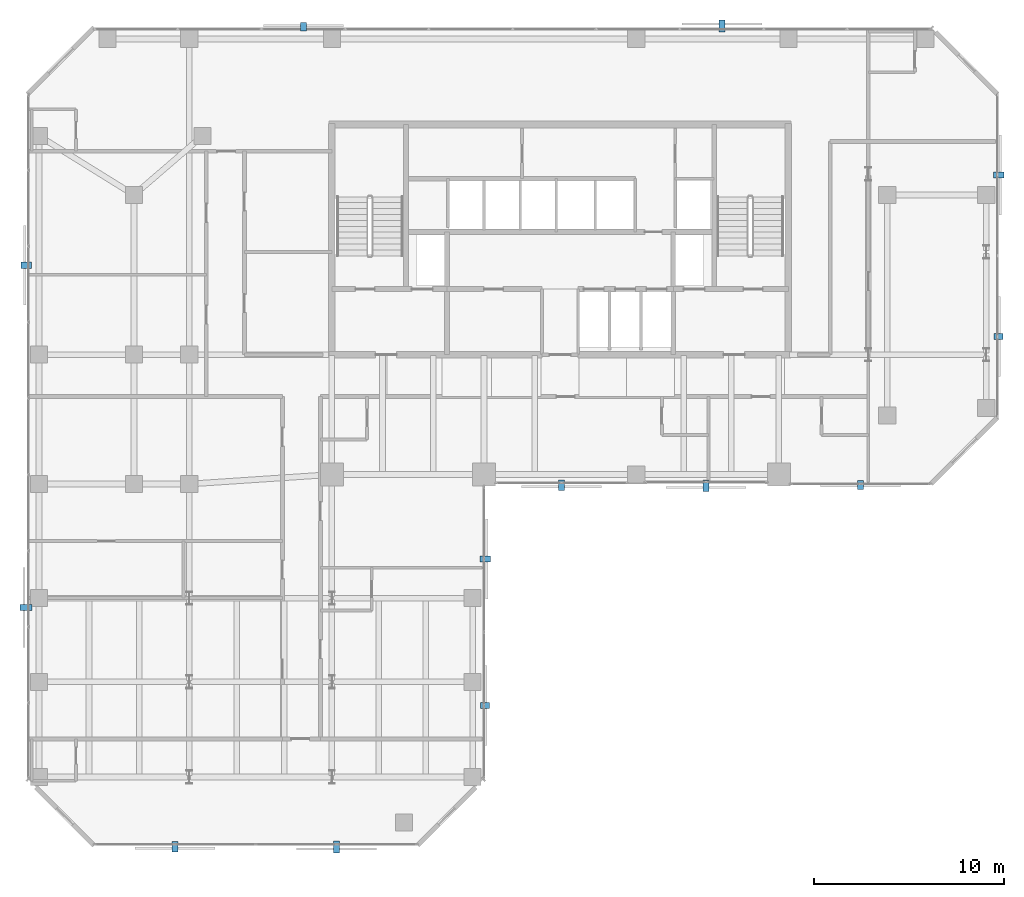
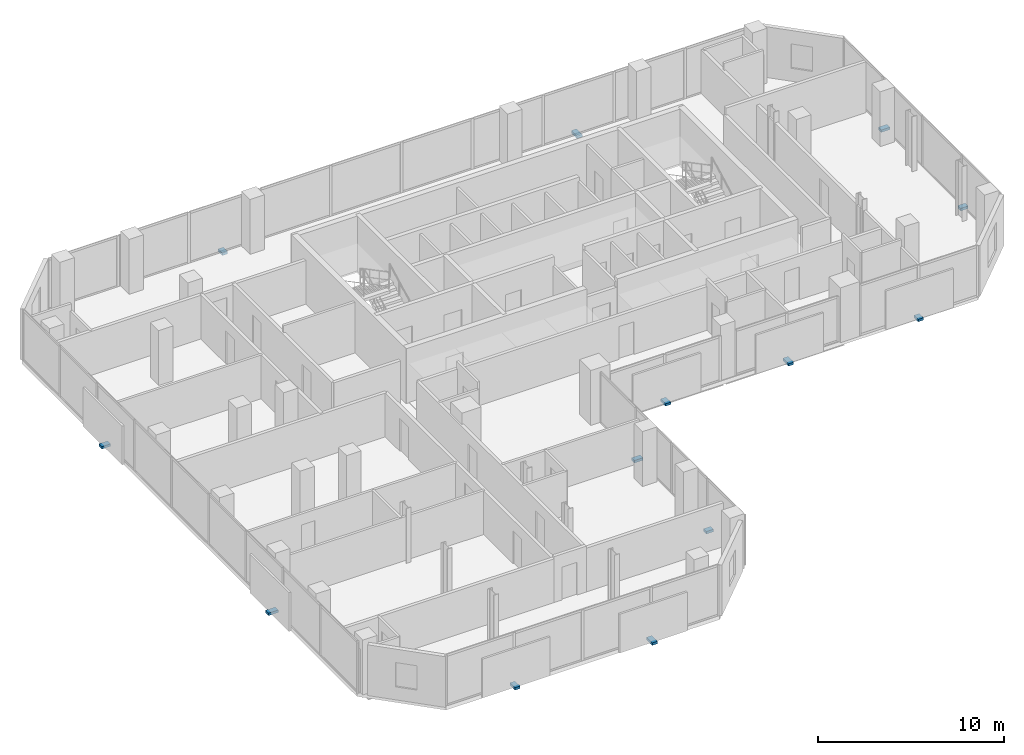
# One storey, part 31 of 33: 13 discrete accessories.
"""IFC4 building model written with IfcOpenShell, lengths in metres."""

from ifc_helpers import new_model, si_unit, direction, frame, origin, origin_2d, place, context, subcontext, project, spatial, rectangle, extrude, material, type_object, element, save


model = new_model("IFC4")

# Units and contexts
model_context = context("Model", 3, precision=1e-05, world=origin(), true_north=direction((0.0, 1.0)))
body_context = subcontext(model_context, "Body", "Model", "MODEL_VIEW")
ifc_project = project(units=[si_unit("LENGTHUNIT", "METRE"), si_unit("AREAUNIT", "SQUARE_METRE"), si_unit("VOLUMEUNIT", "CUBIC_METRE"), si_unit("PLANEANGLEUNIT", "RADIAN"), si_unit("MASSUNIT", "GRAM", prefix="KILO")], contexts=[model_context])

# Site, building, storey
site_placement = place(None, origin())
site = spatial("IfcSite", under=ifc_project, at=site_placement, CompositionType="ELEMENT")
building_placement = place(site_placement, origin())
building = spatial("IfcBuilding", under=site, at=building_placement, Name="Catumbela Crestline Tower", CompositionType="ELEMENT")
storey_placement = place(building_placement, frame((0.0, 0.0, 104.4)))
storey = spatial("IfcBuildingStorey", under=building, at=storey_placement, Name="L26", CompositionType="ELEMENT", Elevation=104.4)

# Discrete accessories
ifc_material = material(Name="Stainless steel EN 1.4401", Category="steel")
discrete_accessory_type = type_object("IfcDiscreteAccessoryType", Name="BK-SS1", PredefinedType="BRACKET", material=ifc_material)
discrete_accessory_1_placement = place(storey_placement, frame((7.75, 4.935, -0.18), z_axis=(0.0, 0.0, 1.0), x_axis=(1.0, 0.0, 0.0)))
element("IfcDiscreteAccessory", 1, at=discrete_accessory_1_placement, inside=storey, type_object=discrete_accessory_type, Name="L26 Solar Screen Stainless Bracket 263", PredefinedType="BRACKET", context=body_context, shape_type="SweptSolid", body=[
    extrude(rectangle(XDim=0.32, YDim=0.54, at=origin_2d()), origin(), (0.0, 0.0, 1.0), 0.16),
])
discrete_accessory_2_placement = place(storey_placement, frame((16.25, 4.915, -0.18), z_axis=(0.0, 0.0, 1.0), x_axis=(1.0, 0.0, 0.0)))
element("IfcDiscreteAccessory", 2, at=discrete_accessory_2_placement, inside=storey, type_object=discrete_accessory_type, Name="L26 Solar Screen Stainless Bracket 264", PredefinedType="BRACKET", context=body_context, shape_type="SweptSolid", body=[
    extrude(rectangle(XDim=0.32, YDim=0.62, at=origin_2d()), origin(), (0.0, 0.0, 1.0), 0.16),
])
discrete_accessory_3_placement = place(storey_placement, frame((24.045, 12.35, -0.18), z_axis=(0.0, 0.0, 1.0), x_axis=(0.0, 1.0, 0.0)))
element("IfcDiscreteAccessory", 3, at=discrete_accessory_3_placement, inside=storey, type_object=discrete_accessory_type, Name="L26 Solar Screen Stainless Bracket 265", PredefinedType="BRACKET", context=body_context, shape_type="SweptSolid", body=[
    extrude(rectangle(XDim=0.32, YDim=0.46, at=origin_2d()), origin(), (0.0, 0.0, 1.0), 0.16),
])
for number, where, z_axis, x_axis, name in (
    (4, (24.065, 20.05, -0.18), (0.0, 0.0, 1.0), (0.0, 1.0, 0.0), "L26 Solar Screen Stainless Bracket 266"),
    (5, (28.075, 23.935, -0.18), (0.0, 0.0, 1.0), (1.0, 0.0, 0.0), "L26 Solar Screen Stainless Bracket 267"),
):
    element("IfcDiscreteAccessory", number, at=place(storey_placement, frame(where, z_axis=z_axis, x_axis=x_axis)), inside=storey, type_object=discrete_accessory_type, Name=name, PredefinedType="BRACKET", context=body_context, shape_type="SweptSolid", body=[
        extrude(rectangle(XDim=0.32, YDim=0.54, at=origin_2d()), origin(), (0.0, 0.0, 1.0), 0.16),
    ])
discrete_accessory_4_placement = place(storey_placement, frame((35.675, 23.915, -0.18), z_axis=(0.0, 0.0, 1.0), x_axis=(1.0, 0.0, 0.0)))
element("IfcDiscreteAccessory", 6, at=discrete_accessory_4_placement, inside=storey, type_object=discrete_accessory_type, Name="L26 Solar Screen Stainless Bracket 268", PredefinedType="BRACKET", context=body_context, shape_type="SweptSolid", body=[
    extrude(rectangle(XDim=0.32, YDim=0.62, at=origin_2d()), origin(), (0.0, 0.0, 1.0), 0.16),
])
for number, where, z_axis, x_axis, name in (
    (7, (43.8, 23.955, -0.18), (0.0, 0.0, 1.0), (1.0, 0.0, 0.0), "L26 Solar Screen Stainless Bracket 269"),
    (8, (51.045, 31.75, -0.18), (0.0, 0.0, 1.0), (0.0, 1.0, 0.0), "L26 Solar Screen Stainless Bracket 270"),
):
    element("IfcDiscreteAccessory", number, at=place(storey_placement, frame(where, z_axis=z_axis, x_axis=x_axis)), inside=storey, type_object=discrete_accessory_type, Name=name, PredefinedType="BRACKET", context=body_context, shape_type="SweptSolid", body=[
        extrude(rectangle(XDim=0.32, YDim=0.46, at=origin_2d()), origin(), (0.0, 0.0, 1.0), 0.16),
    ])
discrete_accessory_5_placement = place(storey_placement, frame((51.065, 40.25, -0.18), z_axis=(0.0, 0.0, 1.0), x_axis=(0.0, 1.0, 0.0)))
element("IfcDiscreteAccessory", 9, at=discrete_accessory_5_placement, inside=storey, type_object=discrete_accessory_type, Name="L26 Solar Screen Stainless Bracket 271", PredefinedType="BRACKET", context=body_context, shape_type="SweptSolid", body=[
    extrude(rectangle(XDim=0.32, YDim=0.54, at=origin_2d()), origin(), (0.0, 0.0, 1.0), 0.16),
])
discrete_accessory_6_placement = place(storey_placement, frame((36.5, 48.085, -0.18), z_axis=(0.0, 0.0, 1.0), x_axis=(-1.0, 0.0, 0.0)))
element("IfcDiscreteAccessory", 10, at=discrete_accessory_6_placement, inside=storey, type_object=discrete_accessory_type, Name="L26 Solar Screen Stainless Bracket 272", PredefinedType="BRACKET", context=body_context, shape_type="SweptSolid", body=[
    extrude(rectangle(XDim=0.32, YDim=0.62, at=origin_2d()), origin(), (0.0, 0.0, 1.0), 0.16),
])
discrete_accessory_7_placement = place(storey_placement, frame((14.5, 48.045, -0.18), z_axis=(0.0, 0.0, 1.0), x_axis=(-1.0, 0.0, 0.0)))
element("IfcDiscreteAccessory", 11, at=discrete_accessory_7_placement, inside=storey, type_object=discrete_accessory_type, Name="L26 Solar Screen Stainless Bracket 273", PredefinedType="BRACKET", context=body_context, shape_type="SweptSolid", body=[
    extrude(rectangle(XDim=0.32, YDim=0.46, at=origin_2d()), origin(), (0.0, 0.0, 1.0), 0.16),
])
discrete_accessory_8_placement = place(storey_placement, frame((-0.065, 35.5, -0.18), z_axis=(0.0, 0.0, 1.0), x_axis=(0.0, -1.0, 0.0)))
element("IfcDiscreteAccessory", 12, at=discrete_accessory_8_placement, inside=storey, type_object=discrete_accessory_type, Name="L26 Solar Screen Stainless Bracket 274", PredefinedType="BRACKET", context=body_context, shape_type="SweptSolid", body=[
    extrude(rectangle(XDim=0.32, YDim=0.54, at=origin_2d()), origin(), (0.0, 0.0, 1.0), 0.16),
])
discrete_accessory_9_placement = place(storey_placement, frame((-0.085, 17.5, -0.18), z_axis=(0.0, 0.0, 1.0), x_axis=(0.0, -1.0, 0.0)))
element("IfcDiscreteAccessory", 13, at=discrete_accessory_9_placement, inside=storey, type_object=discrete_accessory_type, Name="L26 Solar Screen Stainless Bracket 275", PredefinedType="BRACKET", context=body_context, shape_type="SweptSolid", body=[
    extrude(rectangle(XDim=0.32, YDim=0.62, at=origin_2d()), origin(), (0.0, 0.0, 1.0), 0.16),
])

save(model, "model.ifc")
